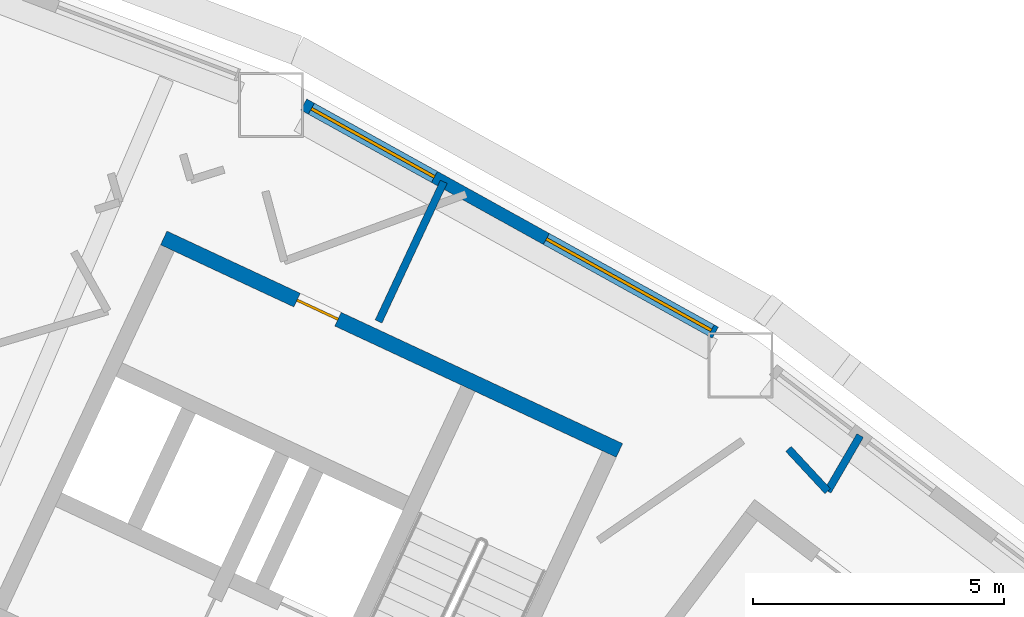
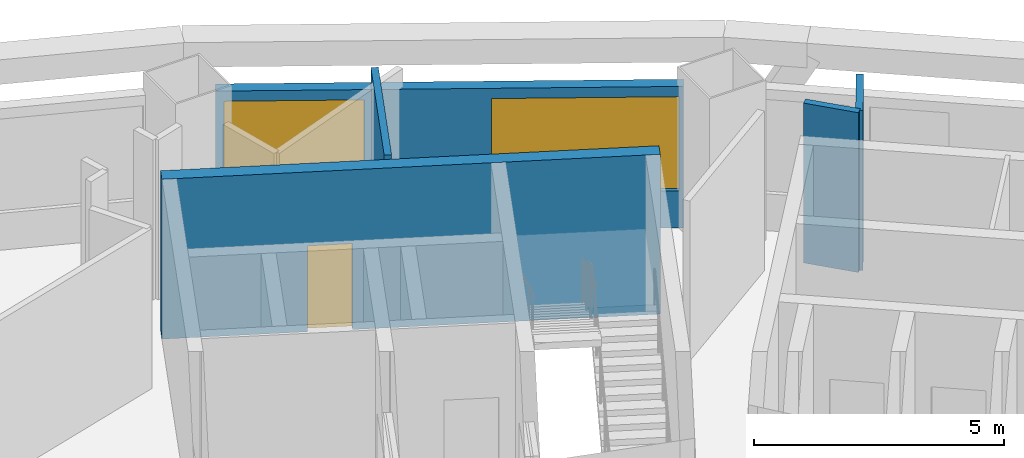
# One storey, part 8 of 11: 5 walls, 2 windows, 1 door, 3 openings.
"""IFC4 building model written with IfcOpenShell, lengths in metres."""

import ifcopenshell
import ifcopenshell.guid

model = None  # the IFC model being written
_history = None  # IfcOwnerHistory: only IFC2X3 demands one
_inside = {}  # id of a spatial element -> (the spatial element, [elements in it])
_under = {}  # id of a project, library or spatial element -> (it, [spatial elements below it])
_declared = {}  # id of a project -> (the project, [libraries it declares])
_typed = {}  # id of a type object -> (the type object, [elements of that type])
_made_of = {}  # id of a material, layer set ... -> (it, [elements and type objects made of it])


def new_model(schema):
    """Start an empty IFC model of exactly this schema.

    Asked for "IFC4X3", IfcOpenShell would pick the latest addendum, in which some entities
    have other attributes; the version numbers below select the first issue.
    IFC2X3 requires an IfcOwnerHistory on every rooted entity: one is made here for all.
    """
    global model, _history
    if schema == "IFC4X3":
        model = ifcopenshell.file(schema_version=(4, 3, 0, 0))
    else:
        model = ifcopenshell.file(schema=schema)
    _inside.clear()
    _under.clear()
    _declared.clear()
    _typed.clear()
    _made_of.clear()
    _history = None
    if model.schema == "IFC2X3":
        org = make("IfcOrganization", Name="unknown")
        user = make(
            "IfcPersonAndOrganization",
            ThePerson=make("IfcPerson", FamilyName="unknown"),
            TheOrganization=org,
        )
        app = make(
            "IfcApplication",
            ApplicationDeveloper=org,
            Version="unknown",
            ApplicationFullName="unknown",
            ApplicationIdentifier="unknown",
        )
        _history = make(
            "IfcOwnerHistory",
            OwningUser=user,
            OwningApplication=app,
            ChangeAction="ADDED",
            CreationDate=0,
        )
    return model


def make(cls, **values):
    """One entity of the class cls with the attributes given. An attribute that is None is left unset."""
    return model.create_entity(
        cls, **{name: value for name, value in values.items() if value is not None}
    )


def rooted(cls, **values):
    """An entity with a GlobalId (a new one), such as an element, a storey or a relation."""
    return make(cls, GlobalId=ifcopenshell.guid.new(), OwnerHistory=_history, **values)


def si_unit(unit_type, name, prefix=None):
    """IfcSIUnit, for example si_unit("LENGTHUNIT", "METRE", prefix="MILLI")."""
    return make("IfcSIUnit", UnitType=unit_type, Prefix=prefix, Name=name)


def assignment(units):
    """IfcUnitAssignment: the units of a project."""
    return None if units is None else make("IfcUnitAssignment", Units=units)


def point(xyz):
    """IfcCartesianPoint."""
    return None if xyz is None else make("IfcCartesianPoint", Coordinates=xyz)


def direction(xyz):
    """IfcDirection."""
    return None if xyz is None else make("IfcDirection", DirectionRatios=xyz)


def frame(location, z_axis=None, x_axis=None):
    """IfcAxis2Placement3D, a coordinate frame: its origin and axes. An axis left out is left unset."""
    return make(
        "IfcAxis2Placement3D",
        Location=point(location),
        Axis=direction(z_axis),
        RefDirection=direction(x_axis),
    )


def frame_2d(location, x_axis=None):
    """IfcAxis2Placement2D, a coordinate frame in the plane: its origin and x axis."""
    return make(
        "IfcAxis2Placement2D", Location=point(location), RefDirection=direction(x_axis)
    )


def origin():
    """The frame at (0, 0, 0) with its axes left unset."""
    return frame((0.0, 0.0, 0.0))


def place(relative_to, where):
    """IfcLocalPlacement: puts the frame where relative to a parent placement (None: the world)."""
    return make(
        "IfcLocalPlacement", PlacementRelTo=relative_to, RelativePlacement=where
    )


def context(
    kind, dimensions, precision=None, world=None, true_north=None, identifier=None
):
    """IfcGeometricRepresentationContext, for example the 3D "Model" context."""
    return make(
        "IfcGeometricRepresentationContext",
        ContextIdentifier=identifier,
        ContextType=kind,
        CoordinateSpaceDimension=dimensions,
        Precision=precision,
        WorldCoordinateSystem=world,
        TrueNorth=true_north,
    )


def subcontext(parent, identifier, kind, view, scale=None):
    """IfcGeometricRepresentationSubContext, for example "Body" below "Model"."""
    return make(
        "IfcGeometricRepresentationSubContext",
        ContextIdentifier=identifier,
        ContextType=kind,
        ParentContext=parent,
        TargetScale=scale,
        TargetView=view,
    )


def project(units=None, contexts=None):
    """IfcProject with its units and contexts."""
    return rooted(
        "IfcProject",
        Name="project",
        RepresentationContexts=contexts,
        UnitsInContext=assignment(units),
    )


def spatial(cls, under=None, at=None, **own):
    """A site, building, storey or space (cls), placed at a placement, below another one or the project."""
    s = rooted(cls, ObjectPlacement=at, **own)
    if under is not None:
        _under.setdefault(under.id(), (under, []))[1].append(s)
    return s


def profile(cls, at=None, kind="AREA", **sizes):
    """A parametric profile (cls). Its sizes go by their IFC names, for example OverallWidth=200.0."""
    return make(cls, ProfileType=kind, Position=at, **sizes)


def rectangle(**sizes):
    """IfcRectangleProfileDef."""
    return profile("IfcRectangleProfileDef", **sizes)


def extrude(swept, where, along, depth):
    """IfcExtrudedAreaSolid: the profile swept, set in the frame where, extruded along a direction by depth."""
    return make(
        "IfcExtrudedAreaSolid",
        SweptArea=swept,
        Position=where,
        ExtrudedDirection=direction(along),
        Depth=depth,
    )


def shape(context_of_items, identifier, shape_type, items):
    """IfcShapeRepresentation: the items that make up one representation, for example the "Body"."""
    return make(
        "IfcShapeRepresentation",
        ContextOfItems=context_of_items,
        RepresentationIdentifier=identifier,
        RepresentationType=shape_type,
        Items=items,
    )


def material(Name=None, Category=None):
    """IfcMaterial."""
    return make("IfcMaterial", Name=Name, Category=Category)


def layer(
    of_material, thickness, ventilated=None, Name=None, Category=None, Priority=None
):
    """IfcMaterialLayer: one layer of a wall or slab, of a material (None: an air gap)."""
    return make(
        "IfcMaterialLayer",
        Material=of_material,
        LayerThickness=thickness,
        IsVentilated=ventilated,
        Name=Name,
        Category=Category,
        Priority=Priority,
    )


def layer_set(layers, Name=None):
    """IfcMaterialLayerSet."""
    return make("IfcMaterialLayerSet", MaterialLayers=layers, LayerSetName=Name)


def made_of(thing, what):
    """Note that an element or type object is made of a material, layer set ...; save() writes the relation."""
    if what is not None:
        _made_of.setdefault(what.id(), (what, []))[1].append(thing)
    return thing


def type_object(cls, material=None, **own):
    """A type object (cls), such as IfcWallType, which elements share."""
    return made_of(rooted(cls, **own), material)


def element(
    cls,
    number,
    at=None,
    inside=None,
    cuts=None,
    type_object=None,
    material=None,
    context=None,
    identifier="Body",
    shape_type=None,
    held_by="IfcProductDefinitionShape",
    body=None,
    shapes=None,
    **own,
):
    """One element of the class cls, such as IfcWall. Its Tag is "e" and its number.

    at: its placement. inside: the storey or other place that contains it. cuts: it is an
    opening in that element (IfcRelVoidsElement). A single representation is given by context,
    identifier, shape_type and body (its items); several are given by shapes. held_by: the class
    of the entity that holds the representations. save() writes the other relations.
    """
    e = rooted(cls, Tag="e%d" % number, ObjectPlacement=at, **own)
    if body is not None:
        shapes = [shape(context, identifier, shape_type, body)]
    if shapes is not None:
        e.Representation = make(held_by, Representations=shapes)
    if inside is not None:
        _inside.setdefault(inside.id(), (inside, []))[1].append(e)
    if cuts is not None:
        rooted(
            "IfcRelVoidsElement", RelatingBuildingElement=cuts, RelatedOpeningElement=e
        )
    if type_object is not None:
        _typed.setdefault(type_object.id(), (type_object, []))[1].append(e)
    return made_of(e, material)


def fill(opening, filler):
    """IfcRelFillsElement: the door or window that sits in an opening."""
    return rooted(
        "IfcRelFillsElement",
        RelatingOpeningElement=opening,
        RelatedBuildingElement=filler,
    )


def aggregate(whole, parts):
    """IfcRelAggregates: a whole, such as a stair, and the parts it consists of."""
    return rooted("IfcRelAggregates", RelatingObject=whole, RelatedObjects=parts)


def save(model, path):
    """Write the relations noted so far, then the file.

    IfcRelAggregates (storeys below a building ...), IfcRelContainedInSpatialStructure (elements
    in a storey), IfcRelDefinesByType, IfcRelAssociatesMaterial and IfcRelDeclares: one each for
    every whole, place, type object, material and project.
    """
    for whole, parts in _under.values():
        aggregate(whole, parts)
    for where, things in _inside.values():
        rooted(
            "IfcRelContainedInSpatialStructure",
            RelatedElements=things,
            RelatingStructure=where,
        )
    for kind, things in _typed.values():
        rooted("IfcRelDefinesByType", RelatedObjects=things, RelatingType=kind)
    for what, things in _made_of.values():
        rooted("IfcRelAssociatesMaterial", RelatedObjects=things, RelatingMaterial=what)
    for by, libraries in _declared.values():
        rooted("IfcRelDeclares", RelatingContext=by, RelatedDefinitions=libraries)
    model.write(path)


model = new_model("IFC4")

# Units and contexts
model_context = context("Model", 3, precision=1e-05, world=origin(), true_north=direction((0.0, 1.0)))
body_context = subcontext(model_context, "Body", "Model", "MODEL_VIEW")
ifc_project = project(units=[si_unit("LENGTHUNIT", "METRE"), si_unit("AREAUNIT", "SQUARE_METRE"), si_unit("VOLUMEUNIT", "CUBIC_METRE"), si_unit("PLANEANGLEUNIT", "RADIAN"), si_unit("MASSUNIT", "GRAM", prefix="KILO")], contexts=[model_context])

# Site, building, storey
site_placement = place(None, origin())
site = spatial("IfcSite", under=ifc_project, at=site_placement, CompositionType="ELEMENT")
building_placement = place(site_placement, origin())
building = spatial("IfcBuilding", under=site, at=building_placement, Name="Tuul Gate Civic Tower", CompositionType="ELEMENT")
storey_placement = place(building_placement, frame((0.0, 0.0, 52.5)))
storey = spatial("IfcBuildingStorey", under=building, at=storey_placement, Name="Level 11", CompositionType="ELEMENT", Elevation=52.5)

# Wall, opening, door
ifc_material_1 = material(Name="Concrete C50/60", Category="concrete")
ifc_layer_1 = layer(ifc_material_1, 0.300048828125)
ifc_layer_set_1 = layer_set([ifc_layer_1], Name="Concrete C50/60")
wall_type_1 = type_object("IfcWallType", Name="Core wall C50/60", PredefinedType="SHEAR", material=ifc_layer_set_1)
wall_1_placement = place(storey_placement, frame((37.993408203125, 0.181884765625, 0.0), z_axis=(0.0, 0.0, 1.0), x_axis=(-0.906310338845, 0.422612789327, 0.0)))
wall_1 = element("IfcWall", 1, at=wall_1_placement, inside=storey, type_object=wall_type_1, Name="Core wall", PredefinedType="SHEAR", context=body_context, shape_type="SweptSolid", body=[
    extrude(rectangle(XDim=9.999755859375, YDim=0.300048828125, at=frame_2d((5.0, 0.0))), origin(), (0.0, 0.0, 1.0), 3.89990234375),
])
opening_1_placement = place(wall_1_placement, frame((6.175048828125, 0.0, 0.0)))
opening_1 = element("IfcOpeningElement", 2, at=opening_1_placement, cuts=wall_1, Name="Opening C-D19", PredefinedType="OPENING", context=body_context, shape_type="SweptSolid", body=[
    extrude(rectangle(XDim=0.89990234375, YDim=2.10009765625, at=frame_2d((0.449951171875, 1.050048828125))), frame((0.0, 0.16015625, 0.0), z_axis=(0.0, -1.0, 0.0), x_axis=(1.0, 0.0, 0.0)), (0.0, 0.0, 1.0), 0.320068359375),
])
ifc_material_2 = material(Name="Timber door leaf", Category="wood")
door_type = type_object("IfcDoorType", Name="Door D09", OperationType="NOTDEFINED", PredefinedType="DOOR", material=ifc_material_2)
door_placement = place(opening_1_placement, origin())
door = element("IfcDoor", 3, at=door_placement, inside=storey, type_object=door_type, Name="Door C-D19", OperationType="SINGLE_SWING_LEFT", OverallHeight=2.10009765625, OverallWidth=0.89990234375, PredefinedType="DOOR", context=body_context, shape_type="SweptSolid", body=[
    extrude(rectangle(XDim=0.89990234375, YDim=2.10009765625, at=frame_2d((0.449951171875, 1.050048828125))), frame((0.0, 0.02490234375, 0.0), z_axis=(0.0, -1.0, 0.0), x_axis=(1.0, 0.0, 0.0)), (0.0, 0.0, 1.0), 0.050048828125),
])
fill(opening_1, door)

# Walls
ifc_material_3 = material(Name="Gypsum board partition")
ifc_layer_2 = layer(ifc_material_3, 0.14990234375)
ifc_layer_set_2 = layer_set([ifc_layer_2], Name="Gypsum board partition")
wall_type_2 = type_object("IfcWallType", Name="Corridor wall P150", PredefinedType="PARTITIONING", material=ifc_layer_set_2)
wall_2_placement = place(storey_placement, frame((42.136962890625, -0.62890625, 0.0), z_axis=(0.0, 0.0, 1.0), x_axis=(0.503136720549, 0.864206827348, 0.0)))
element("IfcWall", 4, at=wall_2_placement, inside=storey, type_object=wall_type_2, Name="p012", PredefinedType="PARTITIONING", context=body_context, shape_type="SweptSolid", body=[
    extrude(rectangle(XDim=1.281982421875, YDim=0.14990234375, at=frame_2d((0.64111328125, 0.0))), origin(), (0.0, 0.0, 1.0), 3.89990234375),
])
wall_3_placement = place(storey_placement, frame((41.355712890625, 0.2119140625, 0.0), z_axis=(0.0, 0.0, 1.0), x_axis=(0.680679513536, -0.732581326443, 0.0)))
element("IfcWall", 5, at=wall_3_placement, inside=storey, type_object=wall_type_2, Name="p013", PredefinedType="PARTITIONING", context=body_context, shape_type="SweptSolid", body=[
    extrude(rectangle(XDim=1.147705078125, YDim=0.14990234375, at=frame_2d((0.57373046875, 0.0))), origin(), (0.0, 0.0, 1.0), 3.89990234375),
])
wall_4_placement = place(storey_placement, frame((33.202880859375, 2.7470703125, 0.0), z_axis=(0.0, 0.0, 1.0), x_axis=(0.423099072166, 0.906083426144, 0.0)))
element("IfcWall", 6, at=wall_4_placement, inside=storey, type_object=wall_type_2, Name="p015", PredefinedType="PARTITIONING", context=body_context, shape_type="SweptSolid", body=[
    extrude(rectangle(XDim=3.065673828125, YDim=0.14990234375, at=frame_2d((1.53271484375, 0.0))), origin(), (0.0, 0.0, 1.0), 3.89990234375),
])

# Wall, openings, windows
ifc_material_4 = material(Name="Precast concrete C40/50", Category="concrete")
ifc_layer_3 = layer(ifc_material_4, 0.25)
ifc_layer_set_3 = layer_set([ifc_layer_3], Name="Precast concrete C40/50")
wall_type_3 = type_object("IfcWallType", Name="External wall", PredefinedType="STANDARD", material=ifc_layer_set_3)
wall_5_placement = place(storey_placement, frame((39.900390625, 2.52587890625, 0.0), z_axis=(0.0, 0.0, 1.0), x_axis=(-0.87462564428, 0.484798909206, 0.0)))
wall_5 = element("IfcWall", 7, at=wall_5_placement, inside=storey, type_object=wall_type_3, Name="External wall", PredefinedType="STANDARD", context=body_context, shape_type="SweptSolid", body=[
    extrude(rectangle(XDim=9.35986328125, YDim=0.25, at=frame_2d((4.679931640625, 0.0))), origin(), (0.0, 0.0, 1.0), 3.449951171875),
])
opening_2_placement = place(wall_5_placement, frame((0.092041015625, 0.0, 0.89990234375)))
opening_2 = element("IfcOpeningElement", 8, at=opening_2_placement, cuts=wall_5, Name="Opening W99", PredefinedType="OPENING", context=body_context, shape_type="SweptSolid", body=[
    extrude(rectangle(XDim=3.75, YDim=2.300048828125, at=frame_2d((1.875, 1.14990234375))), frame((0.0, 0.135009765625, 0.0), z_axis=(0.0, -1.0, 0.0), x_axis=(1.0, 0.0, 0.0)), (0.0, 0.0, 1.0), 0.27001953125),
])
opening_3_placement = place(wall_5_placement, frame((6.38623046875, 0.0, 0.89990234375)))
opening_3 = element("IfcOpeningElement", 9, at=opening_3_placement, cuts=wall_5, Name="Opening W36", PredefinedType="OPENING", context=body_context, shape_type="SweptSolid", body=[
    extrude(rectangle(XDim=2.800048828125, YDim=2.300048828125, at=frame_2d((1.39990234375, 1.14990234375))), frame((0.0, 0.135009765625, 0.0), z_axis=(0.0, -1.0, 0.0), x_axis=(1.0, 0.0, 0.0)), (0.0, 0.0, 1.0), 0.27001953125),
])
ifc_material_5 = material(Name="Glass", Category="glass")
window_type_1 = type_object("IfcWindowType", Name="Window 2800 x 2300", PartitioningType="SINGLE_PANEL", PredefinedType="WINDOW", material=ifc_material_5)
window_1_placement = place(opening_3_placement, origin())
window_1 = element("IfcWindow", 10, at=window_1_placement, inside=storey, type_object=window_type_1, Name="Window", OverallHeight=2.300048828125, OverallWidth=2.800048828125, PartitioningType="SINGLE_PANEL", PredefinedType="WINDOW", context=body_context, shape_type="SweptSolid", body=[
    extrude(rectangle(XDim=2.800048828125, YDim=2.300048828125, at=frame_2d((1.39990234375, 1.14990234375))), frame((0.0, 0.030029296875, 0.0), z_axis=(0.0, -1.0, 0.0), x_axis=(1.0, 0.0, 0.0)), (0.0, 0.0, 1.0), 0.06005859375),
])
fill(opening_3, window_1)
ifc_material_6 = material(Name="Glass", Category="glass")
window_type_2 = type_object("IfcWindowType", Name="Window W99 3750 x 2300", PartitioningType="SINGLE_PANEL", PredefinedType="WINDOW", material=ifc_material_6)
window_2_placement = place(opening_2_placement, origin())
window_2 = element("IfcWindow", 11, at=window_2_placement, inside=storey, type_object=window_type_2, Name="Window", OverallHeight=2.300048828125, OverallWidth=3.75, PartitioningType="SINGLE_PANEL", PredefinedType="WINDOW", context=body_context, shape_type="SweptSolid", body=[
    extrude(rectangle(XDim=3.75, YDim=2.300048828125, at=frame_2d((1.875, 1.14990234375))), frame((0.0, 0.030029296875, 0.0), z_axis=(0.0, -1.0, 0.0), x_axis=(1.0, 0.0, 0.0)), (0.0, 0.0, 1.0), 0.06005859375),
])
fill(opening_2, window_2)

save(model, "model.ifc")
